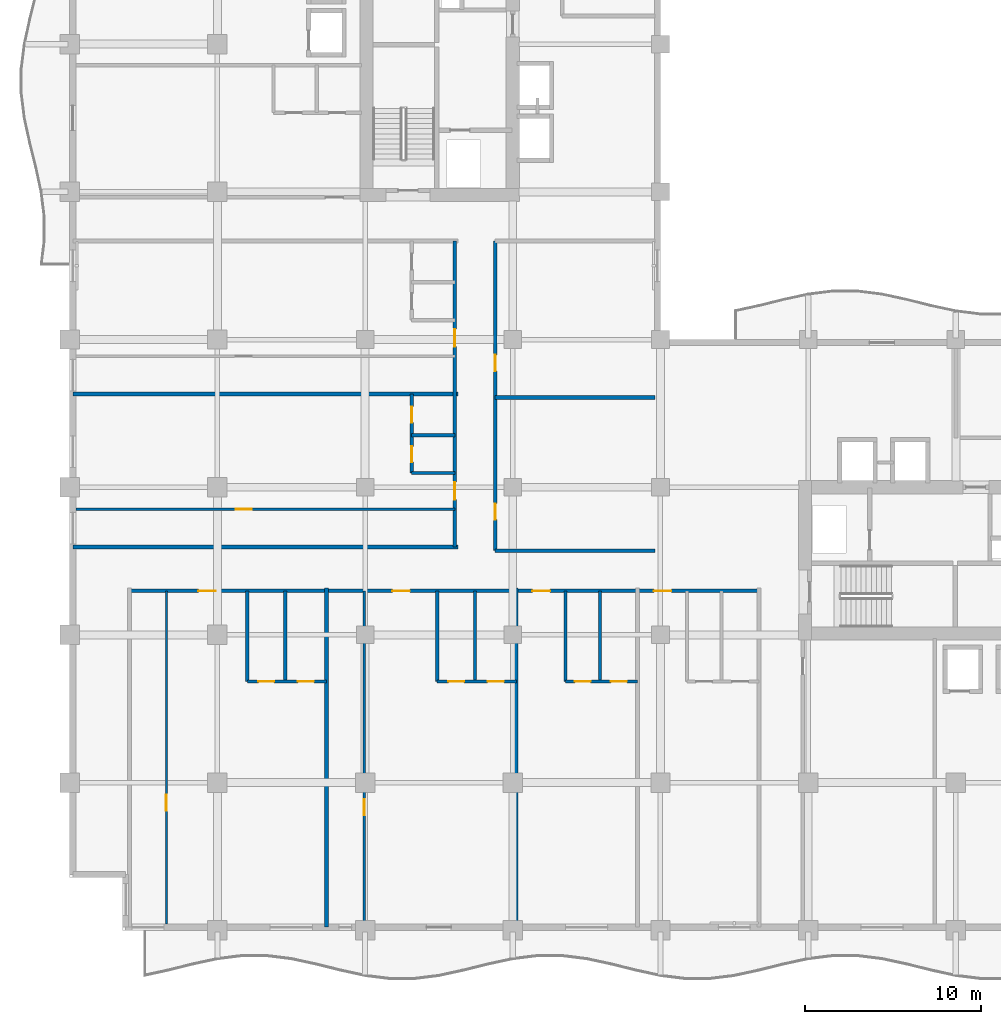
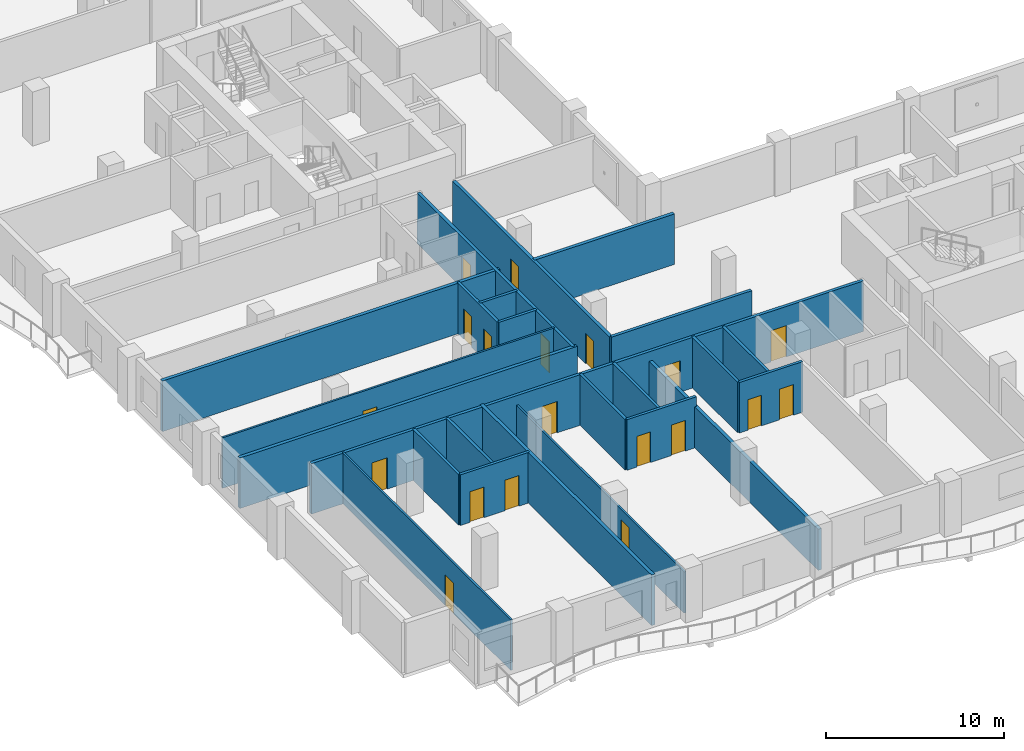
# One storey, part 4 of 16: 24 walls, 19 doors, 19 openings.
"""IFC4 building model written with IfcOpenShell, lengths in metres."""

from ifc_helpers import new_model, si_unit, direction, frame, frame_2d, origin, place, context, subcontext, project, spatial, rectangle, extrude, material, layer, layer_set, type_object, element, fill, save


model = new_model("IFC4")

# Units and contexts
model_context = context("Model", 3, precision=1e-05, world=origin(), true_north=direction((0.0, 1.0)))
body_context = subcontext(model_context, "Body", "Model", "MODEL_VIEW")
ifc_project = project(units=[si_unit("LENGTHUNIT", "METRE"), si_unit("AREAUNIT", "SQUARE_METRE"), si_unit("VOLUMEUNIT", "CUBIC_METRE"), si_unit("PLANEANGLEUNIT", "RADIAN"), si_unit("MASSUNIT", "GRAM", prefix="KILO")], contexts=[model_context])

# Site, building, storey
site_placement = place(None, origin())
site = spatial("IfcSite", under=ifc_project, at=site_placement, CompositionType="ELEMENT")
building_placement = place(site_placement, origin())
building = spatial("IfcBuilding", under=site, at=building_placement, Name="Koriwani Terraces Tower", CompositionType="ELEMENT")
storey_placement = place(building_placement, frame((0.0, 0.0, 186.5)))
storey = spatial("IfcBuildingStorey", under=building, at=storey_placement, Name="L45", CompositionType="ELEMENT", Elevation=186.5)

# Wall, openings, doors
ifc_material_1 = material(Name="Autoclaved Cellular Concrete Blockwork", Category="masonry")
ifc_layer_1 = layer(ifc_material_1, 0.199951171875, Name="Autoclaved Cellular Concrete Blockwork")
ifc_layer_set_1 = layer_set([ifc_layer_1], Name="Autoclaved Cellular Concrete Blockwork")
wall_type_1 = type_object("IfcWallType", Name="WALL_CORRIDOR_200", PredefinedType="PARTITIONING", material=ifc_layer_set_1)
wall_1_placement = place(storey_placement, frame((24.199951171875, 21.60009765625, 0.0), z_axis=(0.0, 0.0, 1.0), x_axis=(0.0, 1.0, 0.0)))
wall_1 = element("IfcWall", 1, at=wall_1_placement, inside=storey, type_object=wall_type_1, Name="L45 Interior Wall WIC2-W-L45", PredefinedType="PARTITIONING", context=body_context, shape_type="SweptSolid", body=[
    extrude(rectangle(XDim=17.599853515625, YDim=0.199951171875, at=frame_2d((8.7998046875, 0.0))), origin(), (0.0, 0.0, 1.0), 3.469970703125),
])
opening_1_placement = place(wall_1_placement, frame((1.75, 0.0, 0.0)))
opening_1 = element("IfcOpeningElement", 2, at=opening_1_placement, cuts=wall_1, Name="Opening D-06", PredefinedType="OPENING", context=body_context, shape_type="SweptSolid", body=[
    extrude(rectangle(XDim=0.919921875, YDim=2.10009765625, at=frame_2d((0.4599609375, 1.050048828125))), frame((0.0, 0.10986328125, 0.0), z_axis=(0.0, -1.0, 0.0), x_axis=(1.0, 0.0, 0.0)), (0.0, 0.0, 1.0), 0.219970703125),
])
opening_2_placement = place(wall_1_placement, frame((10.199951171875, 0.0, 0.0)))
opening_2 = element("IfcOpeningElement", 3, at=opening_2_placement, cuts=wall_1, Name="Opening D-06", PredefinedType="OPENING", context=body_context, shape_type="SweptSolid", body=[
    extrude(rectangle(XDim=0.919921875, YDim=2.10009765625, at=frame_2d((0.4599609375, 1.050048828125))), frame((0.0, 0.10986328125, 0.0), z_axis=(0.0, -1.0, 0.0), x_axis=(1.0, 0.0, 0.0)), (0.0, 0.0, 1.0), 0.219970703125),
])
ifc_material_2 = material(Name="Architectural Oak Fire Door", Category="wood")
door_type_1 = type_object("IfcDoorType", Name="DOOR_ROOM_INT_920X2100", OperationType="NOTDEFINED", PredefinedType="DOOR", material=ifc_material_2)
door_1_placement = place(opening_1_placement, origin())
door_1 = element("IfcDoor", 4, at=door_1_placement, inside=storey, type_object=door_type_1, Name="L45 Inner Court Salon Door", OperationType="SINGLE_SWING_LEFT", OverallHeight=2.10009765625, OverallWidth=0.919921875, PredefinedType="DOOR", context=body_context, shape_type="SweptSolid", body=[
    extrude(rectangle(XDim=0.919921875, YDim=2.10009765625, at=frame_2d((0.4599609375, 1.050048828125))), frame((0.0, 0.02490234375, 0.0), z_axis=(0.0, -1.0, 0.0), x_axis=(1.0, 0.0, 0.0)), (0.0, 0.0, 1.0), 0.050048828125),
])
fill(opening_1, door_1)
door_2_placement = place(opening_2_placement, origin())
door_2 = element("IfcDoor", 5, at=door_2_placement, inside=storey, type_object=door_type_1, Name="L45 Inner Court Media Room Door", OperationType="SINGLE_SWING_RIGHT", OverallHeight=2.10009765625, OverallWidth=0.919921875, PredefinedType="DOOR", context=body_context, shape_type="SweptSolid", body=[
    extrude(rectangle(XDim=0.919921875, YDim=2.10009765625, at=frame_2d((0.4599609375, 1.050048828125))), frame((0.0, 0.02490234375, 0.0), z_axis=(0.0, -1.0, 0.0), x_axis=(1.0, 0.0, 0.0)), (0.0, 0.0, 1.0), 0.050048828125),
])
fill(opening_2, door_2)

# Wall
wall_2_placement = place(storey_placement, frame((24.199951171875, 21.60009765625, 0.0), z_axis=(0.0, 0.0, 1.0), x_axis=(1.0, 0.0, 0.0)))
element("IfcWall", 6, at=wall_2_placement, inside=storey, type_object=wall_type_1, Name="L45 Interior Wall WIC2-S-L45", PredefinedType="PARTITIONING", context=body_context, shape_type="SweptSolid", body=[
    extrude(rectangle(XDim=9.10009765625, YDim=0.199951171875, at=frame_2d((4.550048828125, 0.0))), origin(), (0.0, 0.0, 1.0), 3.469970703125),
])

# Wall, openings, doors
wall_3_placement = place(storey_placement, frame((3.39990234375, 19.300048828125, 0.0), z_axis=(0.0, 0.0, 1.0), x_axis=(1.0, 0.0, 0.0)))
wall_3 = element("IfcWall", 7, at=wall_3_placement, inside=storey, type_object=wall_type_1, Name="L45 Interior Wall WRCOR-L45-SW-0", PredefinedType="PARTITIONING", context=body_context, shape_type="SweptSolid", body=[
    extrude(rectangle(XDim=35.800048828125, YDim=0.199951171875, at=frame_2d((17.89990234375, 0.0))), origin(), (0.0, 0.0, 1.0), 3.469970703125),
])
opening_3_placement = place(wall_3_placement, frame((3.919921875, 0.0, 0.0)))
opening_3 = element("IfcOpeningElement", 8, at=opening_3_placement, cuts=wall_3, Name="Opening D-05", PredefinedType="OPENING", context=body_context, shape_type="SweptSolid", body=[
    extrude(rectangle(XDim=1.0, YDim=2.14990234375, at=frame_2d((0.5, 1.074951171875))), frame((0.0, 0.10986328125, 0.0), z_axis=(0.0, -1.0, 0.0), x_axis=(1.0, 0.0, 0.0)), (0.0, 0.0, 1.0), 0.219970703125),
])
opening_4_placement = place(wall_3_placement, frame((14.945068359375, 0.0, 0.0)))
opening_4 = element("IfcOpeningElement", 9, at=opening_4_placement, cuts=wall_3, Name="Opening D-05", PredefinedType="OPENING", context=body_context, shape_type="SweptSolid", body=[
    extrude(rectangle(XDim=1.0, YDim=2.14990234375, at=frame_2d((0.5, 1.074951171875))), frame((0.0, 0.10986328125, 0.0), z_axis=(0.0, -1.0, 0.0), x_axis=(1.0, 0.0, 0.0)), (0.0, 0.0, 1.0), 0.219970703125),
])
opening_5_placement = place(wall_3_placement, frame((22.919921875, 0.0, 0.0)))
opening_5 = element("IfcOpeningElement", 10, at=opening_5_placement, cuts=wall_3, Name="Opening D-05", PredefinedType="OPENING", context=body_context, shape_type="SweptSolid", body=[
    extrude(rectangle(XDim=1.0, YDim=2.14990234375, at=frame_2d((0.5, 1.074951171875))), frame((0.0, 0.10986328125, 0.0), z_axis=(0.0, -1.0, 0.0), x_axis=(1.0, 0.0, 0.0)), (0.0, 0.0, 1.0), 0.219970703125),
])
opening_6_placement = place(wall_3_placement, frame((29.820068359375, 0.0, 0.0)))
opening_6 = element("IfcOpeningElement", 11, at=opening_6_placement, cuts=wall_3, Name="Opening D-05", PredefinedType="OPENING", context=body_context, shape_type="SweptSolid", body=[
    extrude(rectangle(XDim=1.0, YDim=2.14990234375, at=frame_2d((0.5, 1.074951171875))), frame((0.0, 0.10986328125, 0.0), z_axis=(0.0, -1.0, 0.0), x_axis=(1.0, 0.0, 0.0)), (0.0, 0.0, 1.0), 0.219970703125),
])
door_type_2 = type_object("IfcDoorType", Name="DOOR_SUITE_ENTRY_1000X2150", OperationType="NOTDEFINED", PredefinedType="DOOR", material=ifc_material_2)
door_3_placement = place(opening_3_placement, origin())
door_3 = element("IfcDoor", 12, at=door_3_placement, inside=storey, type_object=door_type_2, Name="Apartment 45SW1 Entrance Door", OperationType="SINGLE_SWING_LEFT", OverallHeight=2.14990234375, OverallWidth=1.0, PredefinedType="DOOR", context=body_context, shape_type="SweptSolid", body=[
    extrude(rectangle(XDim=1.0, YDim=2.14990234375, at=frame_2d((0.5, 1.074951171875))), frame((0.0, 0.02490234375, 0.0), z_axis=(0.0, -1.0, 0.0), x_axis=(1.0, 0.0, 0.0)), (0.0, 0.0, 1.0), 0.050048828125),
])
fill(opening_3, door_3)
door_4_placement = place(opening_4_placement, origin())
door_4 = element("IfcDoor", 13, at=door_4_placement, inside=storey, type_object=door_type_2, Name="Apartment 45SW2 Entrance Door", OperationType="SINGLE_SWING_LEFT", OverallHeight=2.14990234375, OverallWidth=1.0, PredefinedType="DOOR", context=body_context, shape_type="SweptSolid", body=[
    extrude(rectangle(XDim=1.0, YDim=2.14990234375, at=frame_2d((0.5, 1.074951171875))), frame((0.0, 0.02490234375, 0.0), z_axis=(0.0, -1.0, 0.0), x_axis=(1.0, 0.0, 0.0)), (0.0, 0.0, 1.0), 0.050048828125),
])
fill(opening_4, door_4)
door_5_placement = place(opening_5_placement, origin())
door_5 = element("IfcDoor", 14, at=door_5_placement, inside=storey, type_object=door_type_2, Name="Apartment 45SW3 Entrance Door", OperationType="SINGLE_SWING_LEFT", OverallHeight=2.14990234375, OverallWidth=1.0, PredefinedType="DOOR", context=body_context, shape_type="SweptSolid", body=[
    extrude(rectangle(XDim=1.0, YDim=2.14990234375, at=frame_2d((0.5, 1.074951171875))), frame((0.0, 0.02490234375, 0.0), z_axis=(0.0, -1.0, 0.0), x_axis=(1.0, 0.0, 0.0)), (0.0, 0.0, 1.0), 0.050048828125),
])
fill(opening_5, door_5)
door_6_placement = place(opening_6_placement, origin())
door_6 = element("IfcDoor", 15, at=door_6_placement, inside=storey, type_object=door_type_2, Name="Apartment 45SW4 Entrance Door", OperationType="SINGLE_SWING_RIGHT", OverallHeight=2.14990234375, OverallWidth=1.0, PredefinedType="DOOR", context=body_context, shape_type="SweptSolid", body=[
    extrude(rectangle(XDim=1.0, YDim=2.14990234375, at=frame_2d((0.5, 1.074951171875))), frame((0.0, 0.02490234375, 0.0), z_axis=(0.0, -1.0, 0.0), x_axis=(1.0, 0.0, 0.0)), (0.0, 0.0, 1.0), 0.050048828125),
])
fill(opening_6, door_6)

wall_4_placement = place(storey_placement, frame((21.89990234375, 21.800048828125, 0.0), z_axis=(0.0, 0.0, 1.0), x_axis=(0.0, 1.0, 0.0)))
wall_4 = element("IfcWall", 16, at=wall_4_placement, inside=storey, type_object=wall_type_1, Name="L45 Interior Wall WRCOR-L45-NW-0", PredefinedType="PARTITIONING", context=body_context, shape_type="SweptSolid", body=[
    extrude(rectangle(XDim=17.39990234375, YDim=0.199951171875, at=frame_2d((8.699951171875, 0.0))), origin(), (0.0, 0.0, 1.0), 3.469970703125),
])
opening_7_placement = place(wall_4_placement, frame((2.695068359375, 0.0, 0.0)))
opening_7 = element("IfcOpeningElement", 17, at=opening_7_placement, cuts=wall_4, Name="Opening D-05", PredefinedType="OPENING", context=body_context, shape_type="SweptSolid", body=[
    extrude(rectangle(XDim=1.0, YDim=2.14990234375, at=frame_2d((0.5, 1.074951171875))), frame((0.0, 0.10986328125, 0.0), z_axis=(0.0, -1.0, 0.0), x_axis=(1.0, 0.0, 0.0)), (0.0, 0.0, 1.0), 0.219970703125),
])
opening_8_placement = place(wall_4_placement, frame((11.39501953125, 0.0, 0.0)))
opening_8 = element("IfcOpeningElement", 18, at=opening_8_placement, cuts=wall_4, Name="Opening D-05", PredefinedType="OPENING", context=body_context, shape_type="SweptSolid", body=[
    extrude(rectangle(XDim=1.0, YDim=2.14990234375, at=frame_2d((0.5, 1.074951171875))), frame((0.0, 0.10986328125, 0.0), z_axis=(0.0, -1.0, 0.0), x_axis=(1.0, 0.0, 0.0)), (0.0, 0.0, 1.0), 0.219970703125),
])
door_7_placement = place(opening_7_placement, origin())
door_7 = element("IfcDoor", 19, at=door_7_placement, inside=storey, type_object=door_type_2, Name="Apartment 45NW1 Entrance Door", OperationType="SINGLE_SWING_LEFT", OverallHeight=2.14990234375, OverallWidth=1.0, PredefinedType="DOOR", context=body_context, shape_type="SweptSolid", body=[
    extrude(rectangle(XDim=1.0, YDim=2.14990234375, at=frame_2d((0.5, 1.074951171875))), frame((0.0, 0.02490234375, 0.0), z_axis=(0.0, -1.0, 0.0), x_axis=(1.0, 0.0, 0.0)), (0.0, 0.0, 1.0), 0.050048828125),
])
fill(opening_7, door_7)
door_8_placement = place(opening_8_placement, origin())
door_8 = element("IfcDoor", 20, at=door_8_placement, inside=storey, type_object=door_type_2, Name="Apartment 45NW2 Entrance Door", OperationType="SINGLE_SWING_LEFT", OverallHeight=2.14990234375, OverallWidth=1.0, PredefinedType="DOOR", context=body_context, shape_type="SweptSolid", body=[
    extrude(rectangle(XDim=1.0, YDim=2.14990234375, at=frame_2d((0.5, 1.074951171875))), frame((0.0, 0.02490234375, 0.0), z_axis=(0.0, -1.0, 0.0), x_axis=(1.0, 0.0, 0.0)), (0.0, 0.0, 1.0), 0.050048828125),
])
fill(opening_8, door_8)

# Walls
ifc_layer_2 = layer(ifc_material_1, 0.219970703125, Name="Autoclaved Cellular Concrete Blockwork")
ifc_layer_set_2 = layer_set([ifc_layer_2], Name="Autoclaved Cellular Concrete Blockwork")
wall_type_2 = type_object("IfcWallType", Name="WALL_DEMISING_220", PredefinedType="PARTITIONING", material=ifc_layer_set_2)
wall_5_placement = place(storey_placement, frame((24.199951171875, 30.300048828125, 0.0), z_axis=(0.0, 0.0, 1.0), x_axis=(1.0, 0.0, 0.0)))
element("IfcWall", 21, at=wall_5_placement, inside=storey, type_object=wall_type_2, Name="L45 Interior Wall WIC2-M-L45", PredefinedType="PARTITIONING", context=body_context, shape_type="SweptSolid", body=[
    extrude(rectangle(XDim=9.10009765625, YDim=0.219970703125, at=frame_2d((4.550048828125, 0.0))), origin(), (0.0, 0.0, 1.0), 3.469970703125),
])
wall_6_placement = place(storey_placement, frame((14.60009765625, 0.199951171875, 0.0), z_axis=(0.0, 0.0, 1.0), x_axis=(0.0, 1.0, 0.0)))
element("IfcWall", 22, at=wall_6_placement, inside=storey, type_object=wall_type_2, Name="L45 Interior Wall WRDEM-L45-SW-1", PredefinedType="PARTITIONING", context=body_context, shape_type="SweptSolid", body=[
    extrude(rectangle(XDim=19.280029296875, YDim=0.219970703125, at=frame_2d((9.64013671875, 0.0))), origin(), (0.0, 0.0, 1.0), 3.469970703125),
])
wall_7_placement = place(storey_placement, frame((25.39990234375, 0.199951171875, 0.0), z_axis=(0.0, 0.0, 1.0), x_axis=(0.0, 1.0, 0.0)))
element("IfcWall", 23, at=wall_7_placement, inside=storey, type_object=wall_type_2, Name="L45 Interior Wall WRDEM-L45-SW-2", PredefinedType="PARTITIONING", context=body_context, shape_type="SweptSolid", body=[
    extrude(rectangle(XDim=19.280029296875, YDim=0.219970703125, at=frame_2d((9.64013671875, 0.0))), origin(), (0.0, 0.0, 1.0), 2.820068359375),
])
for number, where, z_axis, x_axis, name in (
    (24, (0.199951171875, 21.800048828125, 0.0), (0.0, 0.0, 1.0), (1.0, 0.0, 0.0), "L45 Interior Wall WRDEM-L45-NW-0"),
    (25, (0.199951171875, 30.5, 0.0), (0.0, 0.0, 1.0), (1.0, 0.0, 0.0), "L45 Interior Wall WRDEM-L45-NW-1"),
):
    element("IfcWall", number, at=place(storey_placement, frame(where, z_axis=z_axis, x_axis=x_axis)), inside=storey, type_object=wall_type_2, Name=name, PredefinedType="PARTITIONING", context=body_context, shape_type="SweptSolid", body=[
        extrude(rectangle(XDim=21.880126953125, YDim=0.219970703125, at=frame_2d((10.93994140625, 0.0))), origin(), (0.0, 0.0, 1.0), 3.469970703125),
    ])

# Wall, opening, door
ifc_material_3 = material(Name="Fire-Rated Acoustic Gypsum Partition", Category="masonry")
ifc_layer_3 = layer(ifc_material_3, 0.125, Name="Fire-Rated Acoustic Gypsum Partition")
ifc_layer_set_3 = layer_set([ifc_layer_3], Name="Fire-Rated Acoustic Gypsum Partition")
wall_type_3 = type_object("IfcWallType", Name="WALL_INT_125", PredefinedType="PARTITIONING", material=ifc_layer_set_3)
wall_8_placement = place(storey_placement, frame((5.5, 0.35009765625, 0.0), z_axis=(0.0, 0.0, 1.0), x_axis=(0.0, 1.0, 0.0)))
wall_8 = element("IfcWall", 26, at=wall_8_placement, inside=storey, type_object=wall_type_3, Name="L45 Interior Wall WRBED1-L45-SW-0", PredefinedType="PARTITIONING", context=body_context, shape_type="SweptSolid", body=[
    extrude(rectangle(XDim=18.949951171875, YDim=0.125, at=frame_2d((9.47509765625, 0.0))), origin(), (0.0, 0.0, 1.0), 3.469970703125),
])
opening_9_placement = place(wall_8_placement, frame((6.43994140625, 0.0, 0.0)))
opening_9 = element("IfcOpeningElement", 27, at=opening_9_placement, cuts=wall_8, Name="Opening D-06", PredefinedType="OPENING", context=body_context, shape_type="SweptSolid", body=[
    extrude(rectangle(XDim=0.919921875, YDim=2.10009765625, at=frame_2d((0.4599609375, 1.050048828125))), frame((0.0, 0.072509765625, 0.0), z_axis=(0.0, -1.0, 0.0), x_axis=(1.0, 0.0, 0.0)), (0.0, 0.0, 1.0), 0.14501953125),
])
door_9_placement = place(opening_9_placement, origin())
door_9 = element("IfcDoor", 28, at=door_9_placement, inside=storey, type_object=door_type_1, Name="Apartment 45SW1 Master Bedroom Door", OperationType="SINGLE_SWING_RIGHT", OverallHeight=2.10009765625, OverallWidth=0.919921875, PredefinedType="DOOR", context=body_context, shape_type="SweptSolid", body=[
    extrude(rectangle(XDim=0.919921875, YDim=2.10009765625, at=frame_2d((0.4599609375, 1.050048828125))), frame((0.0, 0.02490234375, 0.0), z_axis=(0.0, -1.0, 0.0), x_axis=(1.0, 0.0, 0.0)), (0.0, 0.0, 1.0), 0.050048828125),
])
fill(opening_9, door_9)

wall_9_placement = place(storey_placement, frame((16.75, 0.35009765625, 0.0), z_axis=(0.0, 0.0, 1.0), x_axis=(0.0, 1.0, 0.0)))
wall_9 = element("IfcWall", 29, at=wall_9_placement, inside=storey, type_object=wall_type_3, Name="L45 Interior Wall WRBED1-L45-SW-1", PredefinedType="PARTITIONING", context=body_context, shape_type="SweptSolid", body=[
    extrude(rectangle(XDim=18.949951171875, YDim=0.125, at=frame_2d((9.47509765625, 0.0))), origin(), (0.0, 0.0, 1.0), 2.820068359375),
])
opening_10_placement = place(wall_9_placement, frame((6.18994140625, 0.0, 0.0)))
opening_10 = element("IfcOpeningElement", 30, at=opening_10_placement, cuts=wall_9, Name="Opening D-06", PredefinedType="OPENING", context=body_context, shape_type="SweptSolid", body=[
    extrude(rectangle(XDim=0.919921875, YDim=2.10009765625, at=frame_2d((0.4599609375, 1.050048828125))), frame((0.0, 0.072509765625, 0.0), z_axis=(0.0, -1.0, 0.0), x_axis=(1.0, 0.0, 0.0)), (0.0, 0.0, 1.0), 0.14501953125),
])
door_10_placement = place(opening_10_placement, origin())
door_10 = element("IfcDoor", 31, at=door_10_placement, inside=storey, type_object=door_type_1, Name="Apartment 45SW2 Master Bedroom Door", OperationType="SINGLE_SWING_RIGHT", OverallHeight=2.10009765625, OverallWidth=0.919921875, PredefinedType="DOOR", context=body_context, shape_type="SweptSolid", body=[
    extrude(rectangle(XDim=0.919921875, YDim=2.10009765625, at=frame_2d((0.4599609375, 1.050048828125))), frame((0.0, 0.02490234375, 0.0), z_axis=(0.0, -1.0, 0.0), x_axis=(1.0, 0.0, 0.0)), (0.0, 0.0, 1.0), 0.050048828125),
])
fill(opening_10, door_10)

wall_10_placement = place(storey_placement, frame((0.35009765625, 23.949951171875, 0.0), z_axis=(0.0, 0.0, 1.0), x_axis=(1.0, 0.0, 0.0)))
wall_10 = element("IfcWall", 32, at=wall_10_placement, inside=storey, type_object=wall_type_3, Name="L45 Interior Wall WRBED1-L45-NW-0", PredefinedType="PARTITIONING", context=body_context, shape_type="SweptSolid", body=[
    extrude(rectangle(XDim=21.5498046875, YDim=0.125, at=frame_2d((10.77490234375, 0.0))), origin(), (0.0, 0.0, 1.0), 3.469970703125),
])
opening_11_placement = place(wall_10_placement, frame((9.090087890625, 0.0, 0.0)))
opening_11 = element("IfcOpeningElement", 33, at=opening_11_placement, cuts=wall_10, Name="Opening D-06", PredefinedType="OPENING", context=body_context, shape_type="SweptSolid", body=[
    extrude(rectangle(XDim=0.919921875, YDim=2.10009765625, at=frame_2d((0.4599609375, 1.050048828125))), frame((0.0, 0.072509765625, 0.0), z_axis=(0.0, -1.0, 0.0), x_axis=(1.0, 0.0, 0.0)), (0.0, 0.0, 1.0), 0.14501953125),
])
door_11_placement = place(opening_11_placement, origin())
door_11 = element("IfcDoor", 34, at=door_11_placement, inside=storey, type_object=door_type_1, Name="Apartment 45NW1 Master Bedroom Door", OperationType="SINGLE_SWING_RIGHT", OverallHeight=2.10009765625, OverallWidth=0.919921875, PredefinedType="DOOR", context=body_context, shape_type="SweptSolid", body=[
    extrude(rectangle(XDim=0.919921875, YDim=2.10009765625, at=frame_2d((0.4599609375, 1.050048828125))), frame((0.0, 0.02490234375, 0.0), z_axis=(0.0, -1.0, 0.0), x_axis=(1.0, 0.0, 0.0)), (0.0, 0.0, 1.0), 0.050048828125),
])
fill(opening_11, door_11)

# Wall, openings, doors
ifc_layer_4 = layer(ifc_material_3, 0.179931640625, Name="Fire-Rated Acoustic Gypsum Partition")
ifc_layer_set_4 = layer_set([ifc_layer_4], Name="Fire-Rated Acoustic Gypsum Partition")
wall_type_4 = type_object("IfcWallType", Name="WALL_PLUMBING_180", PredefinedType="PLUMBINGWALL", material=ifc_layer_set_4)
wall_11_placement = place(storey_placement, frame((10.10009765625, 14.14990234375, 0.0), z_axis=(0.0, 0.0, 1.0), x_axis=(1.0, 0.0, 0.0)))
wall_11 = element("IfcWall", 35, at=wall_11_placement, inside=storey, type_object=wall_type_4, Name="L45 Interior Wall WRSVC-L45-SW-0", PredefinedType="PLUMBINGWALL", context=body_context, shape_type="SweptSolid", body=[
    extrude(rectangle(XDim=4.5, YDim=0.179931640625, at=frame_2d((2.25, 0.0))), origin(), (0.0, 0.0, 1.0), 3.469970703125),
])
opening_12_placement = place(wall_11_placement, frame((0.6298828125, 0.0, 0.0)))
opening_12 = element("IfcOpeningElement", 36, at=opening_12_placement, cuts=wall_11, Name="Opening D-07", PredefinedType="OPENING", context=body_context, shape_type="SweptSolid", body=[
    extrude(rectangle(XDim=0.89990234375, YDim=2.10009765625, at=frame_2d((0.449951171875, 1.050048828125))), frame((0.0, 0.10009765625, 0.0), z_axis=(0.0, -1.0, 0.0), x_axis=(1.0, 0.0, 0.0)), (0.0, 0.0, 1.0), 0.199951171875),
])
opening_13_placement = place(wall_11_placement, frame((2.8701171875, 0.0, 0.0)))
opening_13 = element("IfcOpeningElement", 37, at=opening_13_placement, cuts=wall_11, Name="Opening D-06", PredefinedType="OPENING", context=body_context, shape_type="SweptSolid", body=[
    extrude(rectangle(XDim=0.919921875, YDim=2.10009765625, at=frame_2d((0.4599609375, 1.050048828125))), frame((0.0, 0.10009765625, 0.0), z_axis=(0.0, -1.0, 0.0), x_axis=(1.0, 0.0, 0.0)), (0.0, 0.0, 1.0), 0.199951171875),
])
door_type_3 = type_object("IfcDoorType", Name="DOOR_BATH_INT_900X2100", OperationType="NOTDEFINED", PredefinedType="DOOR", material=ifc_material_2)
door_12_placement = place(opening_12_placement, origin())
door_12 = element("IfcDoor", 38, at=door_12_placement, inside=storey, type_object=door_type_3, Name="Apartment 45SW1 Bathroom Door", OperationType="SINGLE_SWING_RIGHT", OverallHeight=2.10009765625, OverallWidth=0.89990234375, PredefinedType="DOOR", context=body_context, shape_type="SweptSolid", body=[
    extrude(rectangle(XDim=0.89990234375, YDim=2.10009765625, at=frame_2d((0.449951171875, 1.050048828125))), frame((0.0, 0.02490234375, 0.0), z_axis=(0.0, -1.0, 0.0), x_axis=(1.0, 0.0, 0.0)), (0.0, 0.0, 1.0), 0.050048828125),
])
fill(opening_12, door_12)
door_13_placement = place(opening_13_placement, origin())
door_13 = element("IfcDoor", 39, at=door_13_placement, inside=storey, type_object=door_type_1, Name="Apartment 45SW1 Kitchen Door", OperationType="SINGLE_SWING_LEFT", OverallHeight=2.10009765625, OverallWidth=0.919921875, PredefinedType="DOOR", context=body_context, shape_type="SweptSolid", body=[
    extrude(rectangle(XDim=0.919921875, YDim=2.10009765625, at=frame_2d((0.4599609375, 1.050048828125))), frame((0.0, 0.02490234375, 0.0), z_axis=(0.0, -1.0, 0.0), x_axis=(1.0, 0.0, 0.0)), (0.0, 0.0, 1.0), 0.050048828125),
])
fill(opening_13, door_13)

# Walls
for number, where, z_axis, x_axis, name in (
    (40, (10.10009765625, 14.14990234375, 0.0), (0.0, 0.0, 1.0), (0.0, 1.0, 0.0), "L45 Interior Wall WRSVCS-L45-SW-0"),
    (41, (12.260009765625, 14.14990234375, 0.0), (0.0, 0.0, 1.0), (0.0, 1.0, 0.0), "L45 Interior Wall WRSVCM-L45-SW-0"),
):
    element("IfcWall", number, at=place(storey_placement, frame(where, z_axis=z_axis, x_axis=x_axis)), inside=storey, type_object=wall_type_4, Name=name, PredefinedType="PLUMBINGWALL", context=body_context, shape_type="SweptSolid", body=[
        extrude(rectangle(XDim=5.150146484375, YDim=0.179931640625, at=frame_2d((2.5751953125, 0.0))), origin(), (0.0, 0.0, 1.0), 3.469970703125),
    ])

# Wall, openings, doors
wall_12_placement = place(storey_placement, frame((20.89990234375, 14.14990234375, 0.0), z_axis=(0.0, 0.0, 1.0), x_axis=(1.0, 0.0, 0.0)))
wall_12 = element("IfcWall", 42, at=wall_12_placement, inside=storey, type_object=wall_type_4, Name="L45 Interior Wall WRSVC-L45-SW-1", PredefinedType="PLUMBINGWALL", context=body_context, shape_type="SweptSolid", body=[
    extrude(rectangle(XDim=4.5, YDim=0.179931640625, at=frame_2d((2.25, 0.0))), origin(), (0.0, 0.0, 1.0), 3.469970703125),
])
opening_14_placement = place(wall_12_placement, frame((0.6298828125, 0.0, 0.0)))
opening_14 = element("IfcOpeningElement", 43, at=opening_14_placement, cuts=wall_12, Name="Opening D-07", PredefinedType="OPENING", context=body_context, shape_type="SweptSolid", body=[
    extrude(rectangle(XDim=0.89990234375, YDim=2.10009765625, at=frame_2d((0.449951171875, 1.050048828125))), frame((0.0, 0.10009765625, 0.0), z_axis=(0.0, -1.0, 0.0), x_axis=(1.0, 0.0, 0.0)), (0.0, 0.0, 1.0), 0.199951171875),
])
opening_15_placement = place(wall_12_placement, frame((2.8701171875, 0.0, 0.0)))
opening_15 = element("IfcOpeningElement", 44, at=opening_15_placement, cuts=wall_12, Name="Opening D-06", PredefinedType="OPENING", context=body_context, shape_type="SweptSolid", body=[
    extrude(rectangle(XDim=0.919921875, YDim=2.10009765625, at=frame_2d((0.4599609375, 1.050048828125))), frame((0.0, 0.10009765625, 0.0), z_axis=(0.0, -1.0, 0.0), x_axis=(1.0, 0.0, 0.0)), (0.0, 0.0, 1.0), 0.199951171875),
])
door_14_placement = place(opening_14_placement, origin())
door_14 = element("IfcDoor", 45, at=door_14_placement, inside=storey, type_object=door_type_3, Name="Apartment 45SW2 Bathroom Door", OperationType="SINGLE_SWING_RIGHT", OverallHeight=2.10009765625, OverallWidth=0.89990234375, PredefinedType="DOOR", context=body_context, shape_type="SweptSolid", body=[
    extrude(rectangle(XDim=0.89990234375, YDim=2.10009765625, at=frame_2d((0.449951171875, 1.050048828125))), frame((0.0, 0.02490234375, 0.0), z_axis=(0.0, -1.0, 0.0), x_axis=(1.0, 0.0, 0.0)), (0.0, 0.0, 1.0), 0.050048828125),
])
fill(opening_14, door_14)
door_15_placement = place(opening_15_placement, origin())
door_15 = element("IfcDoor", 46, at=door_15_placement, inside=storey, type_object=door_type_1, Name="Apartment 45SW2 Kitchen Door", OperationType="SINGLE_SWING_LEFT", OverallHeight=2.10009765625, OverallWidth=0.919921875, PredefinedType="DOOR", context=body_context, shape_type="SweptSolid", body=[
    extrude(rectangle(XDim=0.919921875, YDim=2.10009765625, at=frame_2d((0.4599609375, 1.050048828125))), frame((0.0, 0.02490234375, 0.0), z_axis=(0.0, -1.0, 0.0), x_axis=(1.0, 0.0, 0.0)), (0.0, 0.0, 1.0), 0.050048828125),
])
fill(opening_15, door_15)

# Walls
for number, where, z_axis, x_axis, name in (
    (47, (20.89990234375, 14.14990234375, 0.0), (0.0, 0.0, 1.0), (0.0, 1.0, 0.0), "L45 Interior Wall WRSVCS-L45-SW-1"),
    (48, (23.06005859375, 14.14990234375, 0.0), (0.0, 0.0, 1.0), (0.0, 1.0, 0.0), "L45 Interior Wall WRSVCM-L45-SW-1"),
):
    element("IfcWall", number, at=place(storey_placement, frame(where, z_axis=z_axis, x_axis=x_axis)), inside=storey, type_object=wall_type_4, Name=name, PredefinedType="PLUMBINGWALL", context=body_context, shape_type="SweptSolid", body=[
        extrude(rectangle(XDim=5.150146484375, YDim=0.179931640625, at=frame_2d((2.5751953125, 0.0))), origin(), (0.0, 0.0, 1.0), 3.469970703125),
    ])

# Wall, openings, doors
wall_13_placement = place(storey_placement, frame((28.199951171875, 14.14990234375, 0.0), z_axis=(0.0, 0.0, 1.0), x_axis=(1.0, 0.0, 0.0)))
wall_13 = element("IfcWall", 49, at=wall_13_placement, inside=storey, type_object=wall_type_4, Name="L45 Interior Wall WRSVC-L45-SW-2", PredefinedType="PLUMBINGWALL", context=body_context, shape_type="SweptSolid", body=[
    extrude(rectangle(XDim=4.10009765625, YDim=0.179931640625, at=frame_2d((2.050048828125, 0.0))), origin(), (0.0, 0.0, 1.0), 3.469970703125),
])
opening_16_placement = place(wall_13_placement, frame((0.533935546875, 0.0, 0.0)))
opening_16 = element("IfcOpeningElement", 50, at=opening_16_placement, cuts=wall_13, Name="Opening D-07", PredefinedType="OPENING", context=body_context, shape_type="SweptSolid", body=[
    extrude(rectangle(XDim=0.89990234375, YDim=2.10009765625, at=frame_2d((0.449951171875, 1.050048828125))), frame((0.0, 0.10009765625, 0.0), z_axis=(0.0, -1.0, 0.0), x_axis=(1.0, 0.0, 0.0)), (0.0, 0.0, 1.0), 0.199951171875),
])
opening_17_placement = place(wall_13_placement, frame((2.573974609375, 0.0, 0.0)))
opening_17 = element("IfcOpeningElement", 51, at=opening_17_placement, cuts=wall_13, Name="Opening D-06", PredefinedType="OPENING", context=body_context, shape_type="SweptSolid", body=[
    extrude(rectangle(XDim=0.919921875, YDim=2.10009765625, at=frame_2d((0.4599609375, 1.050048828125))), frame((0.0, 0.10009765625, 0.0), z_axis=(0.0, -1.0, 0.0), x_axis=(1.0, 0.0, 0.0)), (0.0, 0.0, 1.0), 0.199951171875),
])
door_16_placement = place(opening_16_placement, origin())
door_16 = element("IfcDoor", 52, at=door_16_placement, inside=storey, type_object=door_type_3, Name="Apartment 45SW3 Bathroom Door", OperationType="SINGLE_SWING_RIGHT", OverallHeight=2.10009765625, OverallWidth=0.89990234375, PredefinedType="DOOR", context=body_context, shape_type="SweptSolid", body=[
    extrude(rectangle(XDim=0.89990234375, YDim=2.10009765625, at=frame_2d((0.449951171875, 1.050048828125))), frame((0.0, 0.02490234375, 0.0), z_axis=(0.0, -1.0, 0.0), x_axis=(1.0, 0.0, 0.0)), (0.0, 0.0, 1.0), 0.050048828125),
])
fill(opening_16, door_16)
door_17_placement = place(opening_17_placement, origin())
door_17 = element("IfcDoor", 53, at=door_17_placement, inside=storey, type_object=door_type_1, Name="Apartment 45SW3 Kitchen Door", OperationType="SINGLE_SWING_LEFT", OverallHeight=2.10009765625, OverallWidth=0.919921875, PredefinedType="DOOR", context=body_context, shape_type="SweptSolid", body=[
    extrude(rectangle(XDim=0.919921875, YDim=2.10009765625, at=frame_2d((0.4599609375, 1.050048828125))), frame((0.0, 0.02490234375, 0.0), z_axis=(0.0, -1.0, 0.0), x_axis=(1.0, 0.0, 0.0)), (0.0, 0.0, 1.0), 0.050048828125),
])
fill(opening_17, door_17)

# Walls
for number, where, z_axis, x_axis, name in (
    (54, (28.199951171875, 14.14990234375, 0.0), (0.0, 0.0, 1.0), (0.0, 1.0, 0.0), "L45 Interior Wall WRSVCS-L45-SW-2"),
    (55, (30.16796875, 14.14990234375, 0.0), (0.0, 0.0, 1.0), (0.0, 1.0, 0.0), "L45 Interior Wall WRSVCM-L45-SW-2"),
):
    element("IfcWall", number, at=place(storey_placement, frame(where, z_axis=z_axis, x_axis=x_axis)), inside=storey, type_object=wall_type_4, Name=name, PredefinedType="PLUMBINGWALL", context=body_context, shape_type="SweptSolid", body=[
        extrude(rectangle(XDim=5.150146484375, YDim=0.179931640625, at=frame_2d((2.5751953125, 0.0))), origin(), (0.0, 0.0, 1.0), 3.469970703125),
    ])

# Wall, openings, doors
wall_14_placement = place(storey_placement, frame((19.449951171875, 26.0, 0.0), z_axis=(0.0, 0.0, 1.0), x_axis=(0.0, 1.0, 0.0)))
wall_14 = element("IfcWall", 56, at=wall_14_placement, inside=storey, type_object=wall_type_4, Name="L45 Interior Wall WRSVC-L45-NW-0", PredefinedType="PLUMBINGWALL", context=body_context, shape_type="SweptSolid", body=[
    extrude(rectangle(XDim=4.5, YDim=0.179931640625, at=frame_2d((2.25, 0.0))), origin(), (0.0, 0.0, 1.0), 3.469970703125),
])
opening_18_placement = place(wall_14_placement, frame((0.6298828125, 0.0, 0.0)))
opening_18 = element("IfcOpeningElement", 57, at=opening_18_placement, cuts=wall_14, Name="Opening D-07", PredefinedType="OPENING", context=body_context, shape_type="SweptSolid", body=[
    extrude(rectangle(XDim=0.89990234375, YDim=2.10009765625, at=frame_2d((0.449951171875, 1.050048828125))), frame((0.0, 0.10009765625, 0.0), z_axis=(0.0, -1.0, 0.0), x_axis=(1.0, 0.0, 0.0)), (0.0, 0.0, 1.0), 0.199951171875),
])
opening_19_placement = place(wall_14_placement, frame((2.8701171875, 0.0, 0.0)))
opening_19 = element("IfcOpeningElement", 58, at=opening_19_placement, cuts=wall_14, Name="Opening D-06", PredefinedType="OPENING", context=body_context, shape_type="SweptSolid", body=[
    extrude(rectangle(XDim=0.919921875, YDim=2.10009765625, at=frame_2d((0.4599609375, 1.050048828125))), frame((0.0, 0.10009765625, 0.0), z_axis=(0.0, -1.0, 0.0), x_axis=(1.0, 0.0, 0.0)), (0.0, 0.0, 1.0), 0.199951171875),
])
door_18_placement = place(opening_18_placement, origin())
door_18 = element("IfcDoor", 59, at=door_18_placement, inside=storey, type_object=door_type_3, Name="Apartment 45NW1 Bathroom Door", OperationType="SINGLE_SWING_RIGHT", OverallHeight=2.10009765625, OverallWidth=0.89990234375, PredefinedType="DOOR", context=body_context, shape_type="SweptSolid", body=[
    extrude(rectangle(XDim=0.89990234375, YDim=2.10009765625, at=frame_2d((0.449951171875, 1.050048828125))), frame((0.0, 0.02490234375, 0.0), z_axis=(0.0, -1.0, 0.0), x_axis=(1.0, 0.0, 0.0)), (0.0, 0.0, 1.0), 0.050048828125),
])
fill(opening_18, door_18)
door_19_placement = place(opening_19_placement, origin())
door_19 = element("IfcDoor", 60, at=door_19_placement, inside=storey, type_object=door_type_1, Name="Apartment 45NW1 Kitchen Door", OperationType="SINGLE_SWING_LEFT", OverallHeight=2.10009765625, OverallWidth=0.919921875, PredefinedType="DOOR", context=body_context, shape_type="SweptSolid", body=[
    extrude(rectangle(XDim=0.919921875, YDim=2.10009765625, at=frame_2d((0.4599609375, 1.050048828125))), frame((0.0, 0.02490234375, 0.0), z_axis=(0.0, -1.0, 0.0), x_axis=(1.0, 0.0, 0.0)), (0.0, 0.0, 1.0), 0.050048828125),
])
fill(opening_19, door_19)

# Walls
for number, where, z_axis, x_axis, name in (
    (61, (19.449951171875, 26.0, 0.0), (0.0, 0.0, 1.0), (1.0, 0.0, 0.0), "L45 Interior Wall WRSVCS-L45-NW-0"),
    (62, (19.449951171875, 28.159912109375, 0.0), (0.0, 0.0, 1.0), (1.0, 0.0, 0.0), "L45 Interior Wall WRSVCM-L45-NW-0"),
):
    element("IfcWall", number, at=place(storey_placement, frame(where, z_axis=z_axis, x_axis=x_axis)), inside=storey, type_object=wall_type_4, Name=name, PredefinedType="PLUMBINGWALL", context=body_context, shape_type="SweptSolid", body=[
        extrude(rectangle(XDim=2.449951171875, YDim=0.179931640625, at=frame_2d((1.22509765625, 0.0))), origin(), (0.0, 0.0, 1.0), 3.469970703125),
    ])

save(model, "model.ifc")
